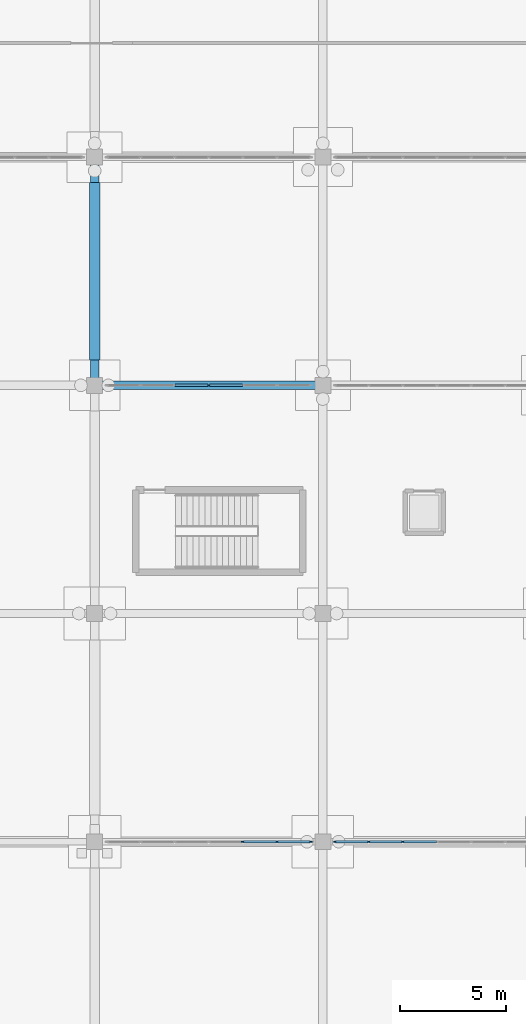
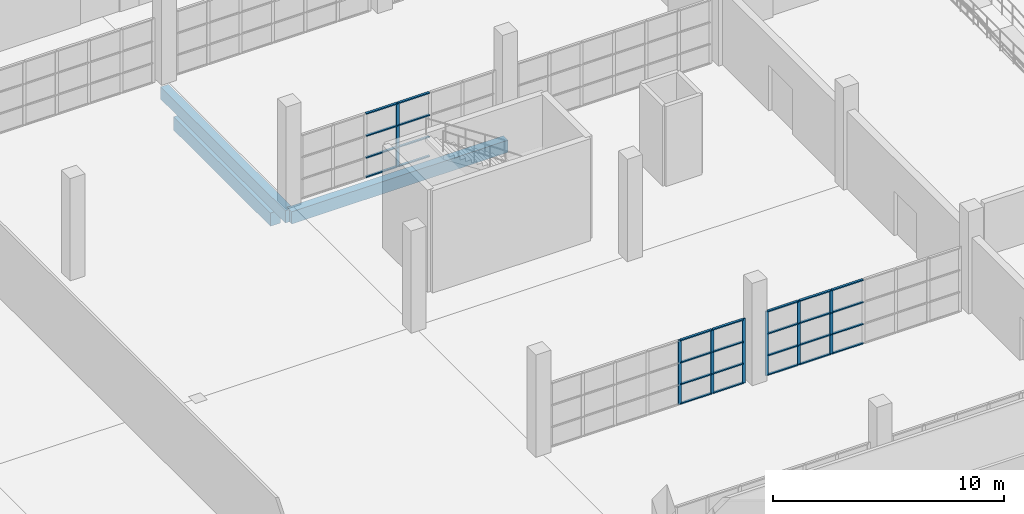
# One storey, part 71 of 138: 35 members, 3 beams, 3 elements without a shape of their own.
"""IFC4 building model written with IfcOpenShell, lengths in metres."""

import ifcopenshell
import ifcopenshell.guid

model = None  # the IFC model being written
_history = None  # IfcOwnerHistory: only IFC2X3 demands one
_inside = {}  # id of a spatial element -> (the spatial element, [elements in it])
_under = {}  # id of a project, library or spatial element -> (it, [spatial elements below it])
_declared = {}  # id of a project -> (the project, [libraries it declares])
_typed = {}  # id of a type object -> (the type object, [elements of that type])
_made_of = {}  # id of a material, layer set ... -> (it, [elements and type objects made of it])


def new_model(schema):
    """Start an empty IFC model of exactly this schema.

    Asked for "IFC4X3", IfcOpenShell would pick the latest addendum, in which some entities
    have other attributes; the version numbers below select the first issue.
    IFC2X3 requires an IfcOwnerHistory on every rooted entity: one is made here for all.
    """
    global model, _history
    if schema == "IFC4X3":
        model = ifcopenshell.file(schema_version=(4, 3, 0, 0))
    else:
        model = ifcopenshell.file(schema=schema)
    _inside.clear()
    _under.clear()
    _declared.clear()
    _typed.clear()
    _made_of.clear()
    _history = None
    if model.schema == "IFC2X3":
        org = make("IfcOrganization", Name="unknown")
        user = make(
            "IfcPersonAndOrganization",
            ThePerson=make("IfcPerson", FamilyName="unknown"),
            TheOrganization=org,
        )
        app = make(
            "IfcApplication",
            ApplicationDeveloper=org,
            Version="unknown",
            ApplicationFullName="unknown",
            ApplicationIdentifier="unknown",
        )
        _history = make(
            "IfcOwnerHistory",
            OwningUser=user,
            OwningApplication=app,
            ChangeAction="ADDED",
            CreationDate=0,
        )
    return model


def make(cls, **values):
    """One entity of the class cls with the attributes given. An attribute that is None is left unset."""
    return model.create_entity(
        cls, **{name: value for name, value in values.items() if value is not None}
    )


def rooted(cls, **values):
    """An entity with a GlobalId (a new one), such as an element, a storey or a relation."""
    return make(cls, GlobalId=ifcopenshell.guid.new(), OwnerHistory=_history, **values)


def si_unit(unit_type, name, prefix=None):
    """IfcSIUnit, for example si_unit("LENGTHUNIT", "METRE", prefix="MILLI")."""
    return make("IfcSIUnit", UnitType=unit_type, Prefix=prefix, Name=name)


def assignment(units):
    """IfcUnitAssignment: the units of a project."""
    return None if units is None else make("IfcUnitAssignment", Units=units)


def point(xyz):
    """IfcCartesianPoint."""
    return None if xyz is None else make("IfcCartesianPoint", Coordinates=xyz)


def direction(xyz):
    """IfcDirection."""
    return None if xyz is None else make("IfcDirection", DirectionRatios=xyz)


def frame(location, z_axis=None, x_axis=None):
    """IfcAxis2Placement3D, a coordinate frame: its origin and axes. An axis left out is left unset."""
    return make(
        "IfcAxis2Placement3D",
        Location=point(location),
        Axis=direction(z_axis),
        RefDirection=direction(x_axis),
    )


def frame_2d(location, x_axis=None):
    """IfcAxis2Placement2D, a coordinate frame in the plane: its origin and x axis."""
    return make(
        "IfcAxis2Placement2D", Location=point(location), RefDirection=direction(x_axis)
    )


def origin():
    """The frame at (0, 0, 0) with its axes left unset."""
    return frame((0.0, 0.0, 0.0))


def origin_2d():
    """The frame at (0, 0) in the plane with its x axis left unset."""
    return frame_2d((0.0, 0.0))


def place(relative_to, where):
    """IfcLocalPlacement: puts the frame where relative to a parent placement (None: the world)."""
    return make(
        "IfcLocalPlacement", PlacementRelTo=relative_to, RelativePlacement=where
    )


def context(
    kind, dimensions, precision=None, world=None, true_north=None, identifier=None
):
    """IfcGeometricRepresentationContext, for example the 3D "Model" context."""
    return make(
        "IfcGeometricRepresentationContext",
        ContextIdentifier=identifier,
        ContextType=kind,
        CoordinateSpaceDimension=dimensions,
        Precision=precision,
        WorldCoordinateSystem=world,
        TrueNorth=true_north,
    )


def subcontext(parent, identifier, kind, view, scale=None):
    """IfcGeometricRepresentationSubContext, for example "Body" below "Model"."""
    return make(
        "IfcGeometricRepresentationSubContext",
        ContextIdentifier=identifier,
        ContextType=kind,
        ParentContext=parent,
        TargetScale=scale,
        TargetView=view,
    )


def project(units=None, contexts=None):
    """IfcProject with its units and contexts."""
    return rooted(
        "IfcProject",
        Name="project",
        RepresentationContexts=contexts,
        UnitsInContext=assignment(units),
    )


def spatial(cls, under=None, at=None, **own):
    """A site, building, storey or space (cls), placed at a placement, below another one or the project."""
    s = rooted(cls, ObjectPlacement=at, **own)
    if under is not None:
        _under.setdefault(under.id(), (under, []))[1].append(s)
    return s


def profile(cls, at=None, kind="AREA", **sizes):
    """A parametric profile (cls). Its sizes go by their IFC names, for example OverallWidth=200.0."""
    return make(cls, ProfileType=kind, Position=at, **sizes)


def rectangle(**sizes):
    """IfcRectangleProfileDef."""
    return profile("IfcRectangleProfileDef", **sizes)


def extrude(swept, where, along, depth):
    """IfcExtrudedAreaSolid: the profile swept, set in the frame where, extruded along a direction by depth."""
    return make(
        "IfcExtrudedAreaSolid",
        SweptArea=swept,
        Position=where,
        ExtrudedDirection=direction(along),
        Depth=depth,
    )


def shape(context_of_items, identifier, shape_type, items):
    """IfcShapeRepresentation: the items that make up one representation, for example the "Body"."""
    return make(
        "IfcShapeRepresentation",
        ContextOfItems=context_of_items,
        RepresentationIdentifier=identifier,
        RepresentationType=shape_type,
        Items=items,
    )


def material(Name=None, Category=None):
    """IfcMaterial."""
    return make("IfcMaterial", Name=Name, Category=Category)


def material_profile(
    of_material, cross_section, Name=None, Category=None, Priority=None
):
    """IfcMaterialProfile: a cross section and its material."""
    return make(
        "IfcMaterialProfile",
        Name=Name,
        Material=of_material,
        Profile=cross_section,
        Priority=Priority,
        Category=Category,
    )


def profile_set(profiles, Name=None, composite=None):
    """IfcMaterialProfileSet."""
    return make(
        "IfcMaterialProfileSet",
        Name=Name,
        MaterialProfiles=profiles,
        CompositeProfile=composite,
    )


def made_of(thing, what):
    """Note that an element or type object is made of a material, layer set ...; save() writes the relation."""
    if what is not None:
        _made_of.setdefault(what.id(), (what, []))[1].append(thing)
    return thing


def type_object(cls, material=None, **own):
    """A type object (cls), such as IfcWallType, which elements share."""
    return made_of(rooted(cls, **own), material)


def element(
    cls,
    number,
    at=None,
    inside=None,
    cuts=None,
    type_object=None,
    material=None,
    context=None,
    identifier="Body",
    shape_type=None,
    held_by="IfcProductDefinitionShape",
    body=None,
    shapes=None,
    **own,
):
    """One element of the class cls, such as IfcWall. Its Tag is "e" and its number.

    at: its placement. inside: the storey or other place that contains it. cuts: it is an
    opening in that element (IfcRelVoidsElement). A single representation is given by context,
    identifier, shape_type and body (its items); several are given by shapes. held_by: the class
    of the entity that holds the representations. save() writes the other relations.
    """
    e = rooted(cls, Tag="e%d" % number, ObjectPlacement=at, **own)
    if body is not None:
        shapes = [shape(context, identifier, shape_type, body)]
    if shapes is not None:
        e.Representation = make(held_by, Representations=shapes)
    if inside is not None:
        _inside.setdefault(inside.id(), (inside, []))[1].append(e)
    if cuts is not None:
        rooted(
            "IfcRelVoidsElement", RelatingBuildingElement=cuts, RelatedOpeningElement=e
        )
    if type_object is not None:
        _typed.setdefault(type_object.id(), (type_object, []))[1].append(e)
    return made_of(e, material)


def aggregate(whole, parts):
    """IfcRelAggregates: a whole, such as a stair, and the parts it consists of."""
    return rooted("IfcRelAggregates", RelatingObject=whole, RelatedObjects=parts)


def save(model, path):
    """Write the relations noted so far, then the file.

    IfcRelAggregates (storeys below a building ...), IfcRelContainedInSpatialStructure (elements
    in a storey), IfcRelDefinesByType, IfcRelAssociatesMaterial and IfcRelDeclares: one each for
    every whole, place, type object, material and project.
    """
    for whole, parts in _under.values():
        aggregate(whole, parts)
    for where, things in _inside.values():
        rooted(
            "IfcRelContainedInSpatialStructure",
            RelatedElements=things,
            RelatingStructure=where,
        )
    for kind, things in _typed.values():
        rooted("IfcRelDefinesByType", RelatedObjects=things, RelatingType=kind)
    for what, things in _made_of.values():
        rooted("IfcRelAssociatesMaterial", RelatedObjects=things, RelatingMaterial=what)
    for by, libraries in _declared.values():
        rooted("IfcRelDeclares", RelatingContext=by, RelatedDefinitions=libraries)
    model.write(path)


model = new_model("IFC4")

# Units and contexts
model_context = context("Model", 3, precision=1e-05, world=origin(), true_north=direction((0.0, 1.0)))
body_context = subcontext(model_context, "Body", "Model", "MODEL_VIEW")
ifc_project = project(units=[si_unit("LENGTHUNIT", "METRE"), si_unit("AREAUNIT", "SQUARE_METRE"), si_unit("VOLUMEUNIT", "CUBIC_METRE"), si_unit("PLANEANGLEUNIT", "RADIAN"), si_unit("MASSUNIT", "GRAM", prefix="KILO")], contexts=[model_context])

# Site, building, storey
site_placement = place(None, origin())
site = spatial("IfcSite", under=ifc_project, at=site_placement, CompositionType="ELEMENT")
building_placement = place(site_placement, origin())
building = spatial("IfcBuilding", under=site, at=building_placement, Name="Zwinboog Wholesale Market", CompositionType="ELEMENT")
storey_placement = place(building_placement, origin())
storey = spatial("IfcBuildingStorey", under=building, at=storey_placement, Name="L00", CompositionType="ELEMENT", Elevation=0.0)

# Beams
ifc_material_1 = material(Name="Precast concrete C45/55", Category="concrete")
ifc_material_profile_1 = material_profile(ifc_material_1, rectangle(XDim=0.39990234375, YDim=0.64990234375, at=origin_2d()), Name="PC 400x650")
ifc_profile_set_1 = profile_set([ifc_material_profile_1], Name="Precast concrete C45/55")
beam_type_1 = type_object("IfcBeamType", Name="BT-05", PredefinedType="BEAM", material=ifc_profile_set_1)
for number, where, z_axis, x_axis, name in (
    (1, (151.199951171875, 86.39990234375, -0.68994140625), (1.0, 0.0, 0.0), (0.0, 1.0, 0.0), "BG-05 (BMG-L00-1512-0864-0129)"),
    (2, (151.199951171875, 86.39990234375, -0.68994140625), (0.0, 1.0, 0.0), (-1.0, 0.0, 0.0), "BG-05 (BMG-L00-1512-0864-0361)"),
):
    element("IfcBeam", number, at=place(storey_placement, frame(where, z_axis=z_axis, x_axis=x_axis)), inside=storey, type_object=beam_type_1, Name=name, PredefinedType="BEAM", context=body_context, shape_type="SweptSolid", body=[
        extrude(rectangle(XDim=0.39990234375, YDim=0.64990234375, at=origin_2d()), origin(), (0.0, 0.0, 1.0), 10.800048828125),
    ])
ifc_material_2 = material(Name="Concrete C35/45", Category="concrete")
ifc_material_profile_2 = material_profile(ifc_material_2, rectangle(XDim=0.5, YDim=0.699951171875, at=origin_2d()), Name="RC 500x700")
ifc_profile_set_2 = profile_set([ifc_material_profile_2], Name="Concrete C35/45")
beam_type_2 = type_object("IfcBeamType", Name="BT-12", PredefinedType="USERDEFINED", material=ifc_profile_set_2)
beam_placement = place(storey_placement, frame((151.199951171875, 87.60498046875, -1.550048828125), z_axis=(0.0, 1.0, 0.0), x_axis=(-1.0, 0.0, 0.0)))
element("IfcBeam", 3, at=beam_placement, inside=storey, type_object=beam_type_2, Name="GB-01 (BM-GB-0192)", ObjectType="GROUND_BEAM", PredefinedType="USERDEFINED", context=body_context, shape_type="SweptSolid", body=[
    extrude(rectangle(XDim=0.5, YDim=0.699951171875, at=origin_2d()), origin(), (0.0, 0.0, 1.0), 8.39013671875),
])

# Curtain wall, members
ifc_material_3 = material(Name="Aluminium thermally broken curtain wall", Category="aluminium")
curtain_wall_type = type_object("IfcCurtainWallType", Name="CWT-INT-STALL", PredefinedType="USERDEFINED", material=ifc_material_3)
curtain_wall_1_placement = place(storey_placement, origin())
curtain_wall_1 = element("IfcCurtainWall", 4, at=curtain_wall_1_placement, inside=storey, type_object=curtain_wall_type, Name="CW-07 (CW-STL-193)", ObjectType="STOREFRONT_GLAZING", PredefinedType="USERDEFINED")
ifc_material_4 = material(Name="Aluminium EN AW-6060", Category="aluminium")
ifc_material_profile_3 = material_profile(ifc_material_4, rectangle(XDim=0.06005859375, YDim=0.14990234375, at=origin_2d()), Name="AL 60x150")
ifc_profile_set_3 = profile_set([ifc_material_profile_3], Name="Aluminium EN AW-6060")
member_type_1 = type_object("IfcMemberType", Name="CWM-INT-60x120", PredefinedType="MULLION", material=ifc_profile_set_3)
member_1_placement = place(storey_placement, frame((158.216552734375, 64.800048828125, 0.0), z_axis=(0.0, 0.0, 1.0), x_axis=(0.0, 1.0, 0.0)))
member_1 = element("IfcMember", 5, at=member_1_placement, type_object=member_type_1, Name="CW-07 mullion 5", PredefinedType="MULLION", context=body_context, shape_type="SweptSolid", body=[
    extrude(rectangle(XDim=0.06005859375, YDim=0.14990234375, at=origin_2d()), origin(), (0.0, 0.0, 1.0), 3.39990234375),
])
member_2_placement = place(storey_placement, frame((159.833251953125, 64.800048828125, 0.0), z_axis=(0.0, 0.0, 1.0), x_axis=(0.0, 1.0, 0.0)))
member_2 = element("IfcMember", 6, at=member_2_placement, type_object=member_type_1, Name="CW-07 mullion 6", PredefinedType="MULLION", context=body_context, shape_type="SweptSolid", body=[
    extrude(rectangle(XDim=0.06005859375, YDim=0.14990234375, at=origin_2d()), origin(), (0.0, 0.0, 1.0), 3.39990234375),
])
member_3_placement = place(storey_placement, frame((161.419921875, 64.800048828125, 0.0), z_axis=(0.0, 0.0, 1.0), x_axis=(0.0, 1.0, 0.0)))
member_3 = element("IfcMember", 7, at=member_3_placement, type_object=member_type_1, Name="CW-07 mullion 7", PredefinedType="MULLION", context=body_context, shape_type="SweptSolid", body=[
    extrude(rectangle(XDim=0.06005859375, YDim=0.14990234375, at=origin_2d()), origin(), (0.0, 0.0, 1.0), 3.39990234375),
])

curtain_wall_2_placement = place(storey_placement, origin())
curtain_wall_2 = element("IfcCurtainWall", 8, at=curtain_wall_2_placement, inside=storey, type_object=curtain_wall_type, Name="CW-07 (CW-STL-194)", ObjectType="STOREFRONT_GLAZING", PredefinedType="USERDEFINED")
member_4_placement = place(storey_placement, frame((162.580078125, 64.800048828125, 0.0), z_axis=(0.0, 0.0, 1.0), x_axis=(0.0, 1.0, 0.0)))
member_4 = element("IfcMember", 9, at=member_4_placement, type_object=member_type_1, Name="CW-07 mullion 1", PredefinedType="MULLION", context=body_context, shape_type="SweptSolid", body=[
    extrude(rectangle(XDim=0.06005859375, YDim=0.14990234375, at=origin_2d()), origin(), (0.0, 0.0, 1.0), 3.39990234375),
])
member_5_placement = place(storey_placement, frame((164.166748046875, 64.800048828125, 0.0), z_axis=(0.0, 0.0, 1.0), x_axis=(0.0, 1.0, 0.0)))
member_5 = element("IfcMember", 10, at=member_5_placement, type_object=member_type_1, Name="CW-07 mullion 2", PredefinedType="MULLION", context=body_context, shape_type="SweptSolid", body=[
    extrude(rectangle(XDim=0.06005859375, YDim=0.14990234375, at=origin_2d()), origin(), (0.0, 0.0, 1.0), 3.39990234375),
])
member_6_placement = place(storey_placement, frame((165.783447265625, 64.800048828125, 0.0), z_axis=(0.0, 0.0, 1.0), x_axis=(0.0, 1.0, 0.0)))
member_6 = element("IfcMember", 11, at=member_6_placement, type_object=member_type_1, Name="CW-07 mullion 3", PredefinedType="MULLION", context=body_context, shape_type="SweptSolid", body=[
    extrude(rectangle(XDim=0.06005859375, YDim=0.14990234375, at=origin_2d()), origin(), (0.0, 0.0, 1.0), 3.39990234375),
])

# Curtain wall, member
curtain_wall_3_placement = place(storey_placement, origin())
curtain_wall_3 = element("IfcCurtainWall", 12, at=curtain_wall_3_placement, inside=storey, type_object=curtain_wall_type, Name="CW-07 (CW-STL-197)", ObjectType="STOREFRONT_GLAZING", PredefinedType="USERDEFINED")
member_7_placement = place(storey_placement, frame((156.60009765625, 86.39990234375, 0.0), z_axis=(0.0, 0.0, 1.0), x_axis=(0.0, 1.0, 0.0)))
member_7 = element("IfcMember", 13, at=member_7_placement, type_object=member_type_1, Name="CW-07 mullion 4", PredefinedType="MULLION", context=body_context, shape_type="SweptSolid", body=[
    extrude(rectangle(XDim=0.06005859375, YDim=0.14990234375, at=origin_2d()), origin(), (0.0, 0.0, 1.0), 3.39990234375),
])

# Member
ifc_material_profile_4 = material_profile(ifc_material_4, rectangle(XDim=0.110107421875, YDim=0.06005859375, at=origin_2d()), Name="AL 60x110")
ifc_profile_set_4 = profile_set([ifc_material_profile_4], Name="Aluminium EN AW-6060")
member_type_2 = type_object("IfcMemberType", Name="CWT-INT-60x100", PredefinedType="USERDEFINED", material=ifc_profile_set_4)
member_8_placement = place(storey_placement, frame((158.24658203125, 64.800048828125, 0.030029296875), z_axis=(1.0, 0.0, 0.0), x_axis=(0.0, 1.0, 0.0)))
member_8 = element("IfcMember", 14, at=member_8_placement, type_object=member_type_2, Name="CW-07 transom 5.1", ObjectType="TRANSOM", PredefinedType="USERDEFINED", context=body_context, shape_type="SweptSolid", body=[
    extrude(rectangle(XDim=0.110107421875, YDim=0.06005859375, at=origin_2d()), origin(), (0.0, 0.0, 1.0), 1.556640625),
])

member_9_placement = place(storey_placement, frame((158.24658203125, 64.800048828125, 1.050048828125), z_axis=(1.0, 0.0, 0.0), x_axis=(0.0, 1.0, 0.0)))
member_9 = element("IfcMember", 15, at=member_9_placement, type_object=member_type_2, Name="CW-07 transom 5.2", ObjectType="TRANSOM", PredefinedType="USERDEFINED", context=body_context, shape_type="SweptSolid", body=[
    extrude(rectangle(XDim=0.110107421875, YDim=0.06005859375, at=origin_2d()), origin(), (0.0, 0.0, 1.0), 1.556640625),
])

member_10_placement = place(storey_placement, frame((158.24658203125, 64.800048828125, 2.199951171875), z_axis=(1.0, 0.0, 0.0), x_axis=(0.0, 1.0, 0.0)))
member_10 = element("IfcMember", 16, at=member_10_placement, type_object=member_type_2, Name="CW-07 transom 5.3", ObjectType="TRANSOM", PredefinedType="USERDEFINED", context=body_context, shape_type="SweptSolid", body=[
    extrude(rectangle(XDim=0.110107421875, YDim=0.06005859375, at=origin_2d()), origin(), (0.0, 0.0, 1.0), 1.556640625),
])

member_11_placement = place(storey_placement, frame((158.24658203125, 64.800048828125, 3.3701171875), z_axis=(1.0, 0.0, 0.0), x_axis=(0.0, 1.0, 0.0)))
member_11 = element("IfcMember", 17, at=member_11_placement, type_object=member_type_2, Name="CW-07 transom 5.4", ObjectType="TRANSOM", PredefinedType="USERDEFINED", context=body_context, shape_type="SweptSolid", body=[
    extrude(rectangle(XDim=0.110107421875, YDim=0.06005859375, at=origin_2d()), origin(), (0.0, 0.0, 1.0), 1.556640625),
])

member_12_placement = place(storey_placement, frame((159.86328125, 64.800048828125, 0.030029296875), z_axis=(1.0, 0.0, 0.0), x_axis=(0.0, 1.0, 0.0)))
member_12 = element("IfcMember", 18, at=member_12_placement, type_object=member_type_2, Name="CW-07 transom 6.1", ObjectType="TRANSOM", PredefinedType="USERDEFINED", context=body_context, shape_type="SweptSolid", body=[
    extrude(rectangle(XDim=0.110107421875, YDim=0.06005859375, at=origin_2d()), origin(), (0.0, 0.0, 1.0), 1.526611328125),
])

member_13_placement = place(storey_placement, frame((159.86328125, 64.800048828125, 1.050048828125), z_axis=(1.0, 0.0, 0.0), x_axis=(0.0, 1.0, 0.0)))
member_13 = element("IfcMember", 19, at=member_13_placement, type_object=member_type_2, Name="CW-07 transom 6.2", ObjectType="TRANSOM", PredefinedType="USERDEFINED", context=body_context, shape_type="SweptSolid", body=[
    extrude(rectangle(XDim=0.110107421875, YDim=0.06005859375, at=origin_2d()), origin(), (0.0, 0.0, 1.0), 1.526611328125),
])

member_14_placement = place(storey_placement, frame((159.86328125, 64.800048828125, 2.199951171875), z_axis=(1.0, 0.0, 0.0), x_axis=(0.0, 1.0, 0.0)))
member_14 = element("IfcMember", 20, at=member_14_placement, type_object=member_type_2, Name="CW-07 transom 6.3", ObjectType="TRANSOM", PredefinedType="USERDEFINED", context=body_context, shape_type="SweptSolid", body=[
    extrude(rectangle(XDim=0.110107421875, YDim=0.06005859375, at=origin_2d()), origin(), (0.0, 0.0, 1.0), 1.526611328125),
])

member_15_placement = place(storey_placement, frame((159.86328125, 64.800048828125, 3.3701171875), z_axis=(1.0, 0.0, 0.0), x_axis=(0.0, 1.0, 0.0)))
member_15 = element("IfcMember", 21, at=member_15_placement, type_object=member_type_2, Name="CW-07 transom 6.4", ObjectType="TRANSOM", PredefinedType="USERDEFINED", context=body_context, shape_type="SweptSolid", body=[
    extrude(rectangle(XDim=0.110107421875, YDim=0.06005859375, at=origin_2d()), origin(), (0.0, 0.0, 1.0), 1.526611328125),
])

aggregate(curtain_wall_1, [member_1, member_2, member_3, member_8, member_9, member_10, member_11, member_12, member_13, member_14, member_15])

member_16_placement = place(storey_placement, frame((162.610107421875, 64.800048828125, 0.030029296875), z_axis=(1.0, 0.0, 0.0), x_axis=(0.0, 1.0, 0.0)))
member_16 = element("IfcMember", 22, at=member_16_placement, type_object=member_type_2, Name="CW-07 transom 1.1", ObjectType="TRANSOM", PredefinedType="USERDEFINED", context=body_context, shape_type="SweptSolid", body=[
    extrude(rectangle(XDim=0.110107421875, YDim=0.06005859375, at=origin_2d()), origin(), (0.0, 0.0, 1.0), 1.526611328125),
])

member_17_placement = place(storey_placement, frame((162.610107421875, 64.800048828125, 1.050048828125), z_axis=(1.0, 0.0, 0.0), x_axis=(0.0, 1.0, 0.0)))
member_17 = element("IfcMember", 23, at=member_17_placement, type_object=member_type_2, Name="CW-07 transom 1.2", ObjectType="TRANSOM", PredefinedType="USERDEFINED", context=body_context, shape_type="SweptSolid", body=[
    extrude(rectangle(XDim=0.110107421875, YDim=0.06005859375, at=origin_2d()), origin(), (0.0, 0.0, 1.0), 1.526611328125),
])

member_18_placement = place(storey_placement, frame((162.610107421875, 64.800048828125, 2.199951171875), z_axis=(1.0, 0.0, 0.0), x_axis=(0.0, 1.0, 0.0)))
member_18 = element("IfcMember", 24, at=member_18_placement, type_object=member_type_2, Name="CW-07 transom 1.3", ObjectType="TRANSOM", PredefinedType="USERDEFINED", context=body_context, shape_type="SweptSolid", body=[
    extrude(rectangle(XDim=0.110107421875, YDim=0.06005859375, at=origin_2d()), origin(), (0.0, 0.0, 1.0), 1.526611328125),
])

member_19_placement = place(storey_placement, frame((162.610107421875, 64.800048828125, 3.3701171875), z_axis=(1.0, 0.0, 0.0), x_axis=(0.0, 1.0, 0.0)))
member_19 = element("IfcMember", 25, at=member_19_placement, type_object=member_type_2, Name="CW-07 transom 1.4", ObjectType="TRANSOM", PredefinedType="USERDEFINED", context=body_context, shape_type="SweptSolid", body=[
    extrude(rectangle(XDim=0.110107421875, YDim=0.06005859375, at=origin_2d()), origin(), (0.0, 0.0, 1.0), 1.526611328125),
])

member_20_placement = place(storey_placement, frame((164.19677734375, 64.800048828125, 0.030029296875), z_axis=(1.0, 0.0, 0.0), x_axis=(0.0, 1.0, 0.0)))
member_20 = element("IfcMember", 26, at=member_20_placement, type_object=member_type_2, Name="CW-07 transom 2.1", ObjectType="TRANSOM", PredefinedType="USERDEFINED", context=body_context, shape_type="SweptSolid", body=[
    extrude(rectangle(XDim=0.110107421875, YDim=0.06005859375, at=origin_2d()), origin(), (0.0, 0.0, 1.0), 1.556640625),
])

member_21_placement = place(storey_placement, frame((164.19677734375, 64.800048828125, 1.050048828125), z_axis=(1.0, 0.0, 0.0), x_axis=(0.0, 1.0, 0.0)))
member_21 = element("IfcMember", 27, at=member_21_placement, type_object=member_type_2, Name="CW-07 transom 2.2", ObjectType="TRANSOM", PredefinedType="USERDEFINED", context=body_context, shape_type="SweptSolid", body=[
    extrude(rectangle(XDim=0.110107421875, YDim=0.06005859375, at=origin_2d()), origin(), (0.0, 0.0, 1.0), 1.556640625),
])

member_22_placement = place(storey_placement, frame((164.19677734375, 64.800048828125, 2.199951171875), z_axis=(1.0, 0.0, 0.0), x_axis=(0.0, 1.0, 0.0)))
member_22 = element("IfcMember", 28, at=member_22_placement, type_object=member_type_2, Name="CW-07 transom 2.3", ObjectType="TRANSOM", PredefinedType="USERDEFINED", context=body_context, shape_type="SweptSolid", body=[
    extrude(rectangle(XDim=0.110107421875, YDim=0.06005859375, at=origin_2d()), origin(), (0.0, 0.0, 1.0), 1.556640625),
])

member_23_placement = place(storey_placement, frame((164.19677734375, 64.800048828125, 3.3701171875), z_axis=(1.0, 0.0, 0.0), x_axis=(0.0, 1.0, 0.0)))
member_23 = element("IfcMember", 29, at=member_23_placement, type_object=member_type_2, Name="CW-07 transom 2.4", ObjectType="TRANSOM", PredefinedType="USERDEFINED", context=body_context, shape_type="SweptSolid", body=[
    extrude(rectangle(XDim=0.110107421875, YDim=0.06005859375, at=origin_2d()), origin(), (0.0, 0.0, 1.0), 1.556640625),
])

member_24_placement = place(storey_placement, frame((165.813232421875, 64.800048828125, 0.030029296875), z_axis=(1.0, 0.0, 0.0), x_axis=(0.0, 1.0, 0.0)))
member_24 = element("IfcMember", 30, at=member_24_placement, type_object=member_type_2, Name="CW-07 transom 3.1", ObjectType="TRANSOM", PredefinedType="USERDEFINED", context=body_context, shape_type="SweptSolid", body=[
    extrude(rectangle(XDim=0.110107421875, YDim=0.06005859375, at=origin_2d()), origin(), (0.0, 0.0, 1.0), 1.556884765625),
])

member_25_placement = place(storey_placement, frame((165.813232421875, 64.800048828125, 1.050048828125), z_axis=(1.0, 0.0, 0.0), x_axis=(0.0, 1.0, 0.0)))
member_25 = element("IfcMember", 31, at=member_25_placement, type_object=member_type_2, Name="CW-07 transom 3.2", ObjectType="TRANSOM", PredefinedType="USERDEFINED", context=body_context, shape_type="SweptSolid", body=[
    extrude(rectangle(XDim=0.110107421875, YDim=0.06005859375, at=origin_2d()), origin(), (0.0, 0.0, 1.0), 1.556884765625),
])

member_26_placement = place(storey_placement, frame((165.813232421875, 64.800048828125, 2.199951171875), z_axis=(1.0, 0.0, 0.0), x_axis=(0.0, 1.0, 0.0)))
member_26 = element("IfcMember", 32, at=member_26_placement, type_object=member_type_2, Name="CW-07 transom 3.3", ObjectType="TRANSOM", PredefinedType="USERDEFINED", context=body_context, shape_type="SweptSolid", body=[
    extrude(rectangle(XDim=0.110107421875, YDim=0.06005859375, at=origin_2d()), origin(), (0.0, 0.0, 1.0), 1.556884765625),
])

member_27_placement = place(storey_placement, frame((165.813232421875, 64.800048828125, 3.3701171875), z_axis=(1.0, 0.0, 0.0), x_axis=(0.0, 1.0, 0.0)))
member_27 = element("IfcMember", 33, at=member_27_placement, type_object=member_type_2, Name="CW-07 transom 3.4", ObjectType="TRANSOM", PredefinedType="USERDEFINED", context=body_context, shape_type="SweptSolid", body=[
    extrude(rectangle(XDim=0.110107421875, YDim=0.06005859375, at=origin_2d()), origin(), (0.0, 0.0, 1.0), 1.556884765625),
])

aggregate(curtain_wall_2, [member_4, member_5, member_6, member_16, member_17, member_18, member_19, member_20, member_21, member_22, member_23, member_24, member_25, member_26, member_27])

member_28_placement = place(storey_placement, frame((155.013427734375, 86.39990234375, 0.030029296875), z_axis=(1.0, 0.0, 0.0), x_axis=(0.0, 1.0, 0.0)))
member_28 = element("IfcMember", 34, at=member_28_placement, type_object=member_type_2, Name="CW-07 transom 3.1", ObjectType="TRANSOM", PredefinedType="USERDEFINED", context=body_context, shape_type="SweptSolid", body=[
    extrude(rectangle(XDim=0.110107421875, YDim=0.06005859375, at=origin_2d()), origin(), (0.0, 0.0, 1.0), 1.556640625),
])

member_29_placement = place(storey_placement, frame((155.013427734375, 86.39990234375, 1.050048828125), z_axis=(1.0, 0.0, 0.0), x_axis=(0.0, 1.0, 0.0)))
member_29 = element("IfcMember", 35, at=member_29_placement, type_object=member_type_2, Name="CW-07 transom 3.2", ObjectType="TRANSOM", PredefinedType="USERDEFINED", context=body_context, shape_type="SweptSolid", body=[
    extrude(rectangle(XDim=0.110107421875, YDim=0.06005859375, at=origin_2d()), origin(), (0.0, 0.0, 1.0), 1.556640625),
])

member_30_placement = place(storey_placement, frame((155.013427734375, 86.39990234375, 2.199951171875), z_axis=(1.0, 0.0, 0.0), x_axis=(0.0, 1.0, 0.0)))
member_30 = element("IfcMember", 36, at=member_30_placement, type_object=member_type_2, Name="CW-07 transom 3.3", ObjectType="TRANSOM", PredefinedType="USERDEFINED", context=body_context, shape_type="SweptSolid", body=[
    extrude(rectangle(XDim=0.110107421875, YDim=0.06005859375, at=origin_2d()), origin(), (0.0, 0.0, 1.0), 1.556640625),
])

member_31_placement = place(storey_placement, frame((155.013427734375, 86.39990234375, 3.3701171875), z_axis=(1.0, 0.0, 0.0), x_axis=(0.0, 1.0, 0.0)))
member_31 = element("IfcMember", 37, at=member_31_placement, type_object=member_type_2, Name="CW-07 transom 3.4", ObjectType="TRANSOM", PredefinedType="USERDEFINED", context=body_context, shape_type="SweptSolid", body=[
    extrude(rectangle(XDim=0.110107421875, YDim=0.06005859375, at=origin_2d()), origin(), (0.0, 0.0, 1.0), 1.556640625),
])

member_32_placement = place(storey_placement, frame((156.6298828125, 86.39990234375, 0.030029296875), z_axis=(1.0, 0.0, 0.0), x_axis=(0.0, 1.0, 0.0)))
member_32 = element("IfcMember", 38, at=member_32_placement, type_object=member_type_2, Name="CW-07 transom 4.1", ObjectType="TRANSOM", PredefinedType="USERDEFINED", context=body_context, shape_type="SweptSolid", body=[
    extrude(rectangle(XDim=0.110107421875, YDim=0.06005859375, at=origin_2d()), origin(), (0.0, 0.0, 1.0), 1.556884765625),
])

member_33_placement = place(storey_placement, frame((156.6298828125, 86.39990234375, 1.050048828125), z_axis=(1.0, 0.0, 0.0), x_axis=(0.0, 1.0, 0.0)))
member_33 = element("IfcMember", 39, at=member_33_placement, type_object=member_type_2, Name="CW-07 transom 4.2", ObjectType="TRANSOM", PredefinedType="USERDEFINED", context=body_context, shape_type="SweptSolid", body=[
    extrude(rectangle(XDim=0.110107421875, YDim=0.06005859375, at=origin_2d()), origin(), (0.0, 0.0, 1.0), 1.556884765625),
])

member_34_placement = place(storey_placement, frame((156.6298828125, 86.39990234375, 2.199951171875), z_axis=(1.0, 0.0, 0.0), x_axis=(0.0, 1.0, 0.0)))
member_34 = element("IfcMember", 40, at=member_34_placement, type_object=member_type_2, Name="CW-07 transom 4.3", ObjectType="TRANSOM", PredefinedType="USERDEFINED", context=body_context, shape_type="SweptSolid", body=[
    extrude(rectangle(XDim=0.110107421875, YDim=0.06005859375, at=origin_2d()), origin(), (0.0, 0.0, 1.0), 1.556884765625),
])

member_35_placement = place(storey_placement, frame((156.6298828125, 86.39990234375, 3.3701171875), z_axis=(1.0, 0.0, 0.0), x_axis=(0.0, 1.0, 0.0)))
member_35 = element("IfcMember", 41, at=member_35_placement, type_object=member_type_2, Name="CW-07 transom 4.4", ObjectType="TRANSOM", PredefinedType="USERDEFINED", context=body_context, shape_type="SweptSolid", body=[
    extrude(rectangle(XDim=0.110107421875, YDim=0.06005859375, at=origin_2d()), origin(), (0.0, 0.0, 1.0), 1.556884765625),
])

aggregate(curtain_wall_3, [member_7, member_28, member_29, member_30, member_31, member_32, member_33, member_34, member_35])

save(model, "model.ifc")
